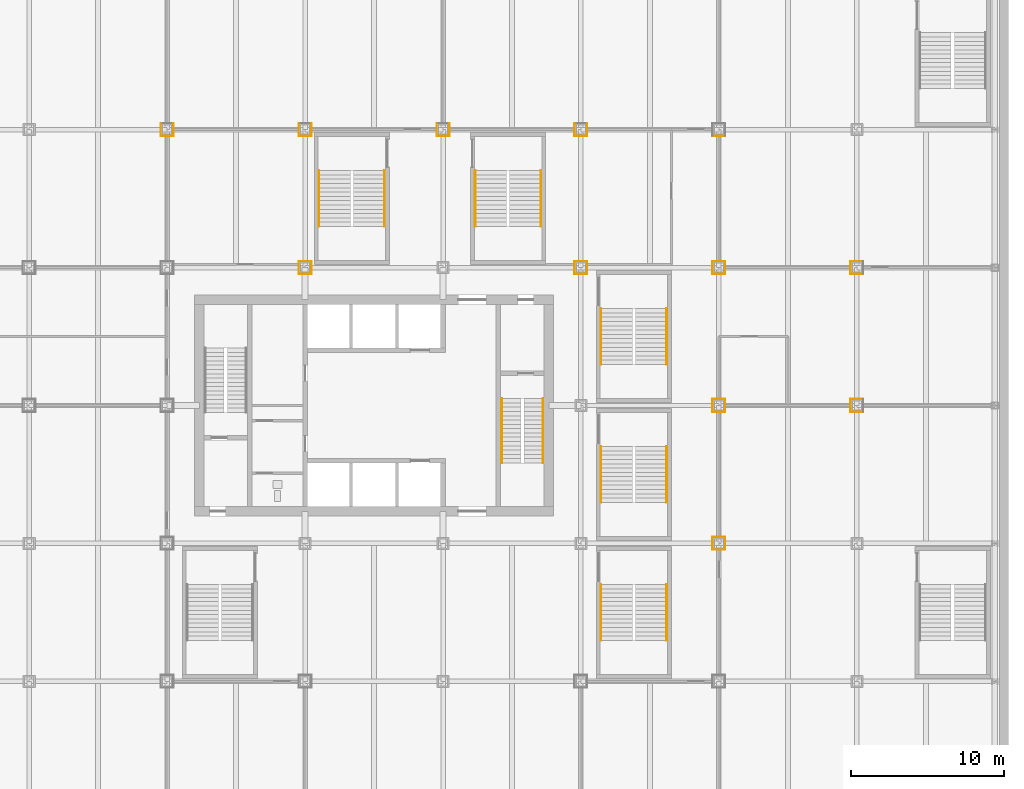
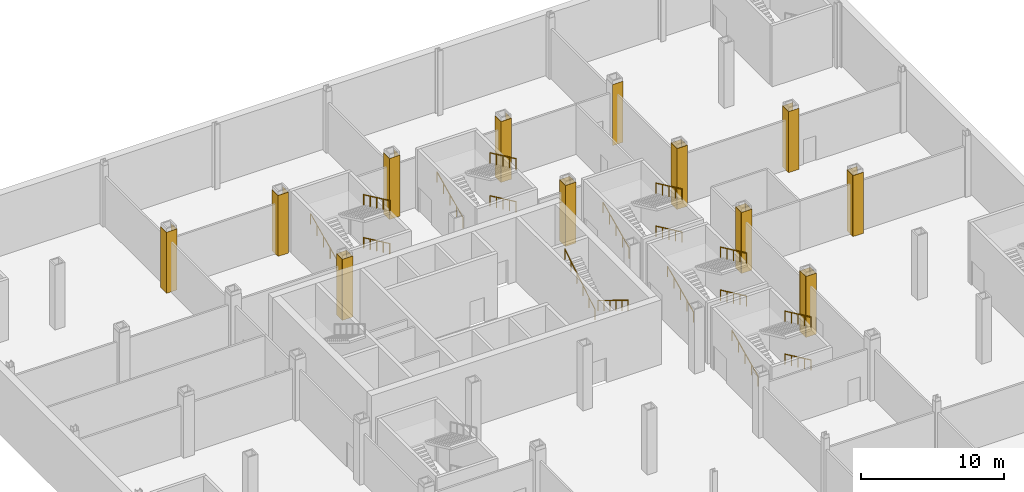
# One storey, part 20 of 27: 39 coverings, 17 railings.
"""IFC4 building model written with IfcOpenShell, lengths in metres."""

from ifc_helpers import new_model, si_unit, direction, frame, origin, origin_2d, place, context, subcontext, project, spatial, rectangle, circle, extrude, material, layer, layer_set, type_object, element, save


model = new_model("IFC4")

# Units and contexts
model_context = context("Model", 3, precision=1e-05, world=origin(), true_north=direction((0.0, 1.0)))
body_context = subcontext(model_context, "Body", "Model", "MODEL_VIEW")
ifc_project = project(units=[si_unit("LENGTHUNIT", "METRE"), si_unit("AREAUNIT", "SQUARE_METRE"), si_unit("VOLUMEUNIT", "CUBIC_METRE"), si_unit("PLANEANGLEUNIT", "RADIAN"), si_unit("MASSUNIT", "GRAM", prefix="KILO")], contexts=[model_context])

# Site, building, storey
site_placement = place(None, origin())
site = spatial("IfcSite", under=ifc_project, at=site_placement, CompositionType="ELEMENT")
building_placement = place(site_placement, origin())
building = spatial("IfcBuilding", under=site, at=building_placement, Name="Loomwork Tower", CompositionType="ELEMENT")
storey_placement = place(building_placement, frame((0.0, 0.0, -5.5)))
storey = spatial("IfcBuildingStorey", under=building, at=storey_placement, Name="B1", CompositionType="ELEMENT", Elevation=-5.5)

# Coverings
ifc_material_1 = material(Name="Two-hour fire-rated gypsum board casing")
ifc_layer = layer(ifc_material_1, 0.02490234375)
ifc_layer_set = layer_set([ifc_layer], Name="Column fire casing 25")
covering_type = type_object("IfcCoveringType", Name="Column fire casing 25", PredefinedType="CLADDING", material=ifc_layer_set)
covering_1_placement = place(storey_placement, frame((9.0, 35.58740234375, 0.0), z_axis=(0.0, 0.0, 1.0), x_axis=(1.0, 0.0, 0.0)))
element("IfcCovering", 1, at=covering_1_placement, inside=storey, type_object=covering_type, Name="Column casing 9 36 B1", PredefinedType="CLADDING", context=body_context, shape_type="SweptSolid", body=[
    extrude(rectangle(XDim=0.85009765625, YDim=0.02490234375, at=origin_2d()), origin(), (0.0, 0.0, 1.0), 5.199951171875),
])
for number, where, z_axis, x_axis, name in (
    (2, (9.41259765625, 36.0, 0.0), (0.0, 0.0, 1.0), (1.0, 0.0, 0.0), "Column casing 9 36 B1"),
    (3, (8.58740234375, 36.0, 0.0), (0.0, 0.0, 1.0), (1.0, 0.0, 0.0), "Column casing 9 36 B1"),
):
    element("IfcCovering", number, at=place(storey_placement, frame(where, z_axis=z_axis, x_axis=x_axis)), inside=storey, type_object=covering_type, Name=name, PredefinedType="CLADDING", context=body_context, shape_type="SweptSolid", body=[
        extrude(rectangle(XDim=0.02490234375, YDim=0.800048828125, at=origin_2d()), origin(), (0.0, 0.0, 1.0), 5.199951171875),
    ])
for number, where, z_axis, x_axis, name in (
    (4, (18.0, 27.41259765625, 0.0), (0.0, 0.0, 1.0), (1.0, 0.0, 0.0), "Column casing 18 27 B1"),
    (5, (18.0, 26.58740234375, 0.0), (0.0, 0.0, 1.0), (1.0, 0.0, 0.0), "Column casing 18 27 B1"),
):
    element("IfcCovering", number, at=place(storey_placement, frame(where, z_axis=z_axis, x_axis=x_axis)), inside=storey, type_object=covering_type, Name=name, PredefinedType="CLADDING", context=body_context, shape_type="SweptSolid", body=[
        extrude(rectangle(XDim=0.85009765625, YDim=0.02490234375, at=origin_2d()), origin(), (0.0, 0.0, 1.0), 5.199951171875),
    ])
for number, where, z_axis, x_axis, name in (
    (6, (18.41259765625, 27.0, 0.0), (0.0, 0.0, 1.0), (1.0, 0.0, 0.0), "Column casing 18 27 B1"),
    (7, (17.58740234375, 27.0, 0.0), (0.0, 0.0, 1.0), (1.0, 0.0, 0.0), "Column casing 18 27 B1"),
):
    element("IfcCovering", number, at=place(storey_placement, frame(where, z_axis=z_axis, x_axis=x_axis)), inside=storey, type_object=covering_type, Name=name, PredefinedType="CLADDING", context=body_context, shape_type="SweptSolid", body=[
        extrude(rectangle(XDim=0.02490234375, YDim=0.800048828125, at=origin_2d()), origin(), (0.0, 0.0, 1.0), 5.199951171875),
    ])
covering_2_placement = place(storey_placement, frame((18.0, 35.58740234375, 0.0), z_axis=(0.0, 0.0, 1.0), x_axis=(1.0, 0.0, 0.0)))
element("IfcCovering", 8, at=covering_2_placement, inside=storey, type_object=covering_type, Name="Column casing 18 36 B1", PredefinedType="CLADDING", context=body_context, shape_type="SweptSolid", body=[
    extrude(rectangle(XDim=0.85009765625, YDim=0.02490234375, at=origin_2d()), origin(), (0.0, 0.0, 1.0), 5.199951171875),
])
for number, where, z_axis, x_axis, name in (
    (9, (18.41259765625, 36.0, 0.0), (0.0, 0.0, 1.0), (1.0, 0.0, 0.0), "Column casing 18 36 B1"),
    (10, (17.58740234375, 36.0, 0.0), (0.0, 0.0, 1.0), (1.0, 0.0, 0.0), "Column casing 18 36 B1"),
):
    element("IfcCovering", number, at=place(storey_placement, frame(where, z_axis=z_axis, x_axis=x_axis)), inside=storey, type_object=covering_type, Name=name, PredefinedType="CLADDING", context=body_context, shape_type="SweptSolid", body=[
        extrude(rectangle(XDim=0.02490234375, YDim=0.800048828125, at=origin_2d()), origin(), (0.0, 0.0, 1.0), 5.199951171875),
    ])
covering_3_placement = place(storey_placement, frame((27.0, 35.58740234375, 0.0), z_axis=(0.0, 0.0, 1.0), x_axis=(1.0, 0.0, 0.0)))
element("IfcCovering", 11, at=covering_3_placement, inside=storey, type_object=covering_type, Name="Column casing 27 36 B1", PredefinedType="CLADDING", context=body_context, shape_type="SweptSolid", body=[
    extrude(rectangle(XDim=0.85009765625, YDim=0.02490234375, at=origin_2d()), origin(), (0.0, 0.0, 1.0), 5.199951171875),
])
for number, where, z_axis, x_axis, name in (
    (12, (27.41259765625, 36.0, 0.0), (0.0, 0.0, 1.0), (1.0, 0.0, 0.0), "Column casing 27 36 B1"),
    (13, (26.58740234375, 36.0, 0.0), (0.0, 0.0, 1.0), (1.0, 0.0, 0.0), "Column casing 27 36 B1"),
):
    element("IfcCovering", number, at=place(storey_placement, frame(where, z_axis=z_axis, x_axis=x_axis)), inside=storey, type_object=covering_type, Name=name, PredefinedType="CLADDING", context=body_context, shape_type="SweptSolid", body=[
        extrude(rectangle(XDim=0.02490234375, YDim=0.800048828125, at=origin_2d()), origin(), (0.0, 0.0, 1.0), 5.199951171875),
    ])
for number, where, z_axis, x_axis, name in (
    (14, (36.0, 27.41259765625, 0.0), (0.0, 0.0, 1.0), (1.0, 0.0, 0.0), "Column casing 36 27 B1"),
    (15, (36.0, 26.58740234375, 0.0), (0.0, 0.0, 1.0), (1.0, 0.0, 0.0), "Column casing 36 27 B1"),
):
    element("IfcCovering", number, at=place(storey_placement, frame(where, z_axis=z_axis, x_axis=x_axis)), inside=storey, type_object=covering_type, Name=name, PredefinedType="CLADDING", context=body_context, shape_type="SweptSolid", body=[
        extrude(rectangle(XDim=0.85009765625, YDim=0.02490234375, at=origin_2d()), origin(), (0.0, 0.0, 1.0), 5.199951171875),
    ])
for number, where, z_axis, x_axis, name in (
    (16, (36.41259765625, 27.0, 0.0), (0.0, 0.0, 1.0), (1.0, 0.0, 0.0), "Column casing 36 27 B1"),
    (17, (35.58740234375, 27.0, 0.0), (0.0, 0.0, 1.0), (1.0, 0.0, 0.0), "Column casing 36 27 B1"),
):
    element("IfcCovering", number, at=place(storey_placement, frame(where, z_axis=z_axis, x_axis=x_axis)), inside=storey, type_object=covering_type, Name=name, PredefinedType="CLADDING", context=body_context, shape_type="SweptSolid", body=[
        extrude(rectangle(XDim=0.02490234375, YDim=0.800048828125, at=origin_2d()), origin(), (0.0, 0.0, 1.0), 5.199951171875),
    ])
covering_4_placement = place(storey_placement, frame((36.0, 35.58740234375, 0.0), z_axis=(0.0, 0.0, 1.0), x_axis=(1.0, 0.0, 0.0)))
element("IfcCovering", 18, at=covering_4_placement, inside=storey, type_object=covering_type, Name="Column casing 36 36 B1", PredefinedType="CLADDING", context=body_context, shape_type="SweptSolid", body=[
    extrude(rectangle(XDim=0.85009765625, YDim=0.02490234375, at=origin_2d()), origin(), (0.0, 0.0, 1.0), 5.199951171875),
])
for number, where, z_axis, x_axis, name in (
    (19, (36.41259765625, 36.0, 0.0), (0.0, 0.0, 1.0), (1.0, 0.0, 0.0), "Column casing 36 36 B1"),
    (20, (35.58740234375, 36.0, 0.0), (0.0, 0.0, 1.0), (1.0, 0.0, 0.0), "Column casing 36 36 B1"),
):
    element("IfcCovering", number, at=place(storey_placement, frame(where, z_axis=z_axis, x_axis=x_axis)), inside=storey, type_object=covering_type, Name=name, PredefinedType="CLADDING", context=body_context, shape_type="SweptSolid", body=[
        extrude(rectangle(XDim=0.02490234375, YDim=0.800048828125, at=origin_2d()), origin(), (0.0, 0.0, 1.0), 5.199951171875),
    ])
for number, where, z_axis, x_axis, name in (
    (21, (45.0, 9.41259765625, 0.0), (0.0, 0.0, 1.0), (1.0, 0.0, 0.0), "Column casing 45 9 B1"),
    (22, (45.0, 8.58740234375, 0.0), (0.0, 0.0, 1.0), (1.0, 0.0, 0.0), "Column casing 45 9 B1"),
):
    element("IfcCovering", number, at=place(storey_placement, frame(where, z_axis=z_axis, x_axis=x_axis)), inside=storey, type_object=covering_type, Name=name, PredefinedType="CLADDING", context=body_context, shape_type="SweptSolid", body=[
        extrude(rectangle(XDim=0.85009765625, YDim=0.02490234375, at=origin_2d()), origin(), (0.0, 0.0, 1.0), 5.199951171875),
    ])
for number, where, z_axis, x_axis, name in (
    (23, (45.41259765625, 9.0, 0.0), (0.0, 0.0, 1.0), (1.0, 0.0, 0.0), "Column casing 45 9 B1"),
    (24, (44.58740234375, 9.0, 0.0), (0.0, 0.0, 1.0), (1.0, 0.0, 0.0), "Column casing 45 9 B1"),
):
    element("IfcCovering", number, at=place(storey_placement, frame(where, z_axis=z_axis, x_axis=x_axis)), inside=storey, type_object=covering_type, Name=name, PredefinedType="CLADDING", context=body_context, shape_type="SweptSolid", body=[
        extrude(rectangle(XDim=0.02490234375, YDim=0.800048828125, at=origin_2d()), origin(), (0.0, 0.0, 1.0), 5.199951171875),
    ])
for number, where, z_axis, x_axis, name in (
    (25, (45.0, 18.41259765625, 0.0), (0.0, 0.0, 1.0), (1.0, 0.0, 0.0), "Column casing 45 18 B1"),
    (26, (45.0, 17.58740234375, 0.0), (0.0, 0.0, 1.0), (1.0, 0.0, 0.0), "Column casing 45 18 B1"),
):
    element("IfcCovering", number, at=place(storey_placement, frame(where, z_axis=z_axis, x_axis=x_axis)), inside=storey, type_object=covering_type, Name=name, PredefinedType="CLADDING", context=body_context, shape_type="SweptSolid", body=[
        extrude(rectangle(XDim=0.85009765625, YDim=0.02490234375, at=origin_2d()), origin(), (0.0, 0.0, 1.0), 5.199951171875),
    ])
for number, where, z_axis, x_axis, name in (
    (27, (45.41259765625, 18.0, 0.0), (0.0, 0.0, 1.0), (1.0, 0.0, 0.0), "Column casing 45 18 B1"),
    (28, (44.58740234375, 18.0, 0.0), (0.0, 0.0, 1.0), (1.0, 0.0, 0.0), "Column casing 45 18 B1"),
):
    element("IfcCovering", number, at=place(storey_placement, frame(where, z_axis=z_axis, x_axis=x_axis)), inside=storey, type_object=covering_type, Name=name, PredefinedType="CLADDING", context=body_context, shape_type="SweptSolid", body=[
        extrude(rectangle(XDim=0.02490234375, YDim=0.800048828125, at=origin_2d()), origin(), (0.0, 0.0, 1.0), 5.199951171875),
    ])
for number, where, z_axis, x_axis, name in (
    (29, (45.0, 27.41259765625, 0.0), (0.0, 0.0, 1.0), (1.0, 0.0, 0.0), "Column casing 45 27 B1"),
    (30, (45.0, 26.58740234375, 0.0), (0.0, 0.0, 1.0), (1.0, 0.0, 0.0), "Column casing 45 27 B1"),
):
    element("IfcCovering", number, at=place(storey_placement, frame(where, z_axis=z_axis, x_axis=x_axis)), inside=storey, type_object=covering_type, Name=name, PredefinedType="CLADDING", context=body_context, shape_type="SweptSolid", body=[
        extrude(rectangle(XDim=0.85009765625, YDim=0.02490234375, at=origin_2d()), origin(), (0.0, 0.0, 1.0), 5.199951171875),
    ])
for number, where, z_axis, x_axis, name in (
    (31, (45.41259765625, 27.0, 0.0), (0.0, 0.0, 1.0), (1.0, 0.0, 0.0), "Column casing 45 27 B1"),
    (32, (44.58740234375, 27.0, 0.0), (0.0, 0.0, 1.0), (1.0, 0.0, 0.0), "Column casing 45 27 B1"),
):
    element("IfcCovering", number, at=place(storey_placement, frame(where, z_axis=z_axis, x_axis=x_axis)), inside=storey, type_object=covering_type, Name=name, PredefinedType="CLADDING", context=body_context, shape_type="SweptSolid", body=[
        extrude(rectangle(XDim=0.02490234375, YDim=0.800048828125, at=origin_2d()), origin(), (0.0, 0.0, 1.0), 5.199951171875),
    ])
for number, where, z_axis, x_axis, name in (
    (33, (45.0, 35.58740234375, 0.0), (0.0, 0.0, 1.0), (1.0, 0.0, 0.0), "Column casing 45 36 B1"),
    (34, (54.0, 18.41259765625, 0.0), (0.0, 0.0, 1.0), (1.0, 0.0, 0.0), "Column casing 54 18 B1"),
    (35, (54.0, 17.58740234375, 0.0), (0.0, 0.0, 1.0), (1.0, 0.0, 0.0), "Column casing 54 18 B1"),
):
    element("IfcCovering", number, at=place(storey_placement, frame(where, z_axis=z_axis, x_axis=x_axis)), inside=storey, type_object=covering_type, Name=name, PredefinedType="CLADDING", context=body_context, shape_type="SweptSolid", body=[
        extrude(rectangle(XDim=0.85009765625, YDim=0.02490234375, at=origin_2d()), origin(), (0.0, 0.0, 1.0), 5.199951171875),
    ])
covering_5_placement = place(storey_placement, frame((53.58740234375, 18.0, 0.0), z_axis=(0.0, 0.0, 1.0), x_axis=(1.0, 0.0, 0.0)))
element("IfcCovering", 36, at=covering_5_placement, inside=storey, type_object=covering_type, Name="Column casing 54 18 B1", PredefinedType="CLADDING", context=body_context, shape_type="SweptSolid", body=[
    extrude(rectangle(XDim=0.02490234375, YDim=0.800048828125, at=origin_2d()), origin(), (0.0, 0.0, 1.0), 5.199951171875),
])
for number, where, z_axis, x_axis, name in (
    (37, (54.0, 27.41259765625, 0.0), (0.0, 0.0, 1.0), (1.0, 0.0, 0.0), "Column casing 54 27 B1"),
    (38, (54.0, 26.58740234375, 0.0), (0.0, 0.0, 1.0), (1.0, 0.0, 0.0), "Column casing 54 27 B1"),
):
    element("IfcCovering", number, at=place(storey_placement, frame(where, z_axis=z_axis, x_axis=x_axis)), inside=storey, type_object=covering_type, Name=name, PredefinedType="CLADDING", context=body_context, shape_type="SweptSolid", body=[
        extrude(rectangle(XDim=0.85009765625, YDim=0.02490234375, at=origin_2d()), origin(), (0.0, 0.0, 1.0), 5.199951171875),
    ])
covering_6_placement = place(storey_placement, frame((53.58740234375, 27.0, 0.0), z_axis=(0.0, 0.0, 1.0), x_axis=(1.0, 0.0, 0.0)))
element("IfcCovering", 39, at=covering_6_placement, inside=storey, type_object=covering_type, Name="Column casing 54 27 B1", PredefinedType="CLADDING", context=body_context, shape_type="SweptSolid", body=[
    extrude(rectangle(XDim=0.02490234375, YDim=0.800048828125, at=origin_2d()), origin(), (0.0, 0.0, 1.0), 5.199951171875),
])

# Railings
ifc_material_2 = material(Name="Stainless steel handrail", Category="steel")
railing_type = type_object("IfcRailingType", Name="Handrail 900", PredefinedType="HANDRAIL", material=ifc_material_2)
railing_1_placement = place(storey_placement, frame((33.514892578125, 18.449951171875, 0.171875)))
element("IfcRailing", 40, at=railing_1_placement, inside=storey, type_object=railing_type, Name="Stair B handrail flight 1 B1", PredefinedType="HANDRAIL", context=body_context, shape_type="SweptSolid", body=[
    extrude(circle(Radius=0.02392578125, at=origin_2d()), frame((0.0, 0.0, 0.8759765625), z_axis=(0.0, -0.852242915053, 0.523146264196), x_axis=(1.0, 0.0, 0.0)), (0.0, 0.0, 1.0), 4.92822265625),
    extrude(circle(Radius=0.02099609375, at=origin_2d()), origin(), (0.0, 0.0, 1.0), 0.851806640625),
    extrude(circle(Radius=0.02099609375, at=origin_2d()), frame((0.0, -0.840087890625, 0.515625)), (0.0, 0.0, 1.0), 0.851806640625),
    extrude(circle(Radius=0.02099609375, at=origin_2d()), frame((0.0, -1.679931640625, 1.03125)), (0.0, 0.0, 1.0), 0.851806640625),
    extrude(circle(Radius=0.02099609375, at=origin_2d()), frame((0.0, -2.52001953125, 1.546875)), (0.0, 0.0, 1.0), 0.851806640625),
    extrude(circle(Radius=0.02099609375, at=origin_2d()), frame((0.0, -3.35986328125, 2.0625)), (0.0, 0.0, 1.0), 0.851806640625),
    extrude(circle(Radius=0.02099609375, at=origin_2d()), frame((0.0, -4.199951171875, 2.578125)), (0.0, 0.0, 1.0), 0.851806640625),
])
railing_2_placement = place(storey_placement, frame((30.8349609375, 14.25, 2.921875)))
element("IfcRailing", 41, at=railing_2_placement, inside=storey, type_object=railing_type, Name="Stair B handrail flight 2 B1", PredefinedType="HANDRAIL", context=body_context, shape_type="SweptSolid", body=[
    extrude(circle(Radius=0.02392578125, at=origin_2d()), frame((0.0, 0.0, 0.8759765625), z_axis=(0.0, 0.852242915053, 0.523146264196), x_axis=(-1.0, 0.0, 0.0)), (0.0, 0.0, 1.0), 4.92822265625),
    extrude(circle(Radius=0.02099609375, at=origin_2d()), origin(), (0.0, 0.0, 1.0), 0.851806640625),
    extrude(circle(Radius=0.02099609375, at=origin_2d()), frame((0.0, 0.840087890625, 0.515625)), (0.0, 0.0, 1.0), 0.851806640625),
    extrude(circle(Radius=0.02099609375, at=origin_2d()), frame((0.0, 1.679931640625, 1.03125)), (0.0, 0.0, 1.0), 0.851806640625),
    extrude(circle(Radius=0.02099609375, at=origin_2d()), frame((0.0, 2.52001953125, 1.546875)), (0.0, 0.0, 1.0), 0.851806640625),
    extrude(circle(Radius=0.02099609375, at=origin_2d()), frame((0.0, 3.35986328125, 2.0625)), (0.0, 0.0, 1.0), 0.851806640625),
    extrude(circle(Radius=0.02099609375, at=origin_2d()), frame((0.0, 4.199951171875, 2.578125)), (0.0, 0.0, 1.0), 0.851806640625),
])
railing_3_placement = place(storey_placement, frame((41.590087890625, 6.320068359375, 0.131103515625)))
element("IfcRailing", 42, at=railing_3_placement, inside=storey, type_object=railing_type, Name="Podium stair PS7 handrail flight 1 B1", PredefinedType="HANDRAIL", context=body_context, shape_type="SweptSolid", body=[
    extrude(circle(Radius=0.02392578125, at=origin_2d()), frame((0.0, 0.0, 0.8759765625), z_axis=(0.0, -0.905856922506, 0.423583800383), x_axis=(1.0, 0.0, 0.0)), (0.0, 0.0, 1.0), 4.0185546875),
    extrude(circle(Radius=0.02099609375, at=origin_2d()), origin(), (0.0, 0.0, 1.0), 0.851806640625),
    extrude(circle(Radius=0.02099609375, at=origin_2d()), frame((0.0, -0.91015625, 0.425537109375)), (0.0, 0.0, 1.0), 0.851806640625),
    extrude(circle(Radius=0.02099609375, at=origin_2d()), frame((0.0, -1.820068359375, 0.85107421875)), (0.0, 0.0, 1.0), 0.851806640625),
    extrude(circle(Radius=0.02099609375, at=origin_2d()), frame((0.0, -2.72998046875, 1.276611328125)), (0.0, 0.0, 1.0), 0.851806640625),
    extrude(circle(Radius=0.02099609375, at=origin_2d()), frame((0.0, -3.64013671875, 1.7021484375)), (0.0, 0.0, 1.0), 0.851806640625),
])
railing_4_placement = place(storey_placement, frame((37.31005859375, 2.679931640625, 1.96435546875)))
element("IfcRailing", 43, at=railing_4_placement, inside=storey, type_object=railing_type, Name="Podium stair PS7 handrail flight 2 B1", PredefinedType="HANDRAIL", context=body_context, shape_type="SweptSolid", body=[
    extrude(circle(Radius=0.02392578125, at=origin_2d()), frame((0.0, 0.0, 0.8759765625), z_axis=(0.0, 0.905856922506, 0.423583800383), x_axis=(-1.0, 0.0, 0.0)), (0.0, 0.0, 1.0), 4.0185546875),
    extrude(circle(Radius=0.02099609375, at=origin_2d()), origin(), (0.0, 0.0, 1.0), 0.851806640625),
    extrude(circle(Radius=0.02099609375, at=origin_2d()), frame((0.0, 0.91015625, 0.425537109375)), (0.0, 0.0, 1.0), 0.851806640625),
    extrude(circle(Radius=0.02099609375, at=origin_2d()), frame((0.0, 1.820068359375, 0.85107421875)), (0.0, 0.0, 1.0), 0.851806640625),
    extrude(circle(Radius=0.02099609375, at=origin_2d()), frame((0.0, 2.72998046875, 1.276611328125)), (0.0, 0.0, 1.0), 0.851806640625),
    extrude(circle(Radius=0.02099609375, at=origin_2d()), frame((0.0, 3.64013671875, 1.7021484375)), (0.0, 0.0, 1.0), 0.851806640625),
])
railing_5_placement = place(storey_placement, frame((41.590087890625, 6.320068359375, 3.797607421875)))
element("IfcRailing", 44, at=railing_5_placement, inside=storey, type_object=railing_type, Name="Podium stair PS7 handrail flight 3 B1", PredefinedType="HANDRAIL", context=body_context, shape_type="SweptSolid", body=[
    extrude(circle(Radius=0.02392578125, at=origin_2d()), frame((0.0, 0.0, 0.8759765625), z_axis=(0.0, -0.905833609661, 0.423633652593), x_axis=(1.0, 0.0, 0.0)), (0.0, 0.0, 1.0), 4.0185546875),
    extrude(circle(Radius=0.02099609375, at=origin_2d()), origin(), (0.0, 0.0, 1.0), 0.851806640625),
    extrude(circle(Radius=0.02099609375, at=origin_2d()), frame((0.0, -0.91015625, 0.425537109375)), (0.0, 0.0, 1.0), 0.851806640625),
    extrude(circle(Radius=0.02099609375, at=origin_2d()), frame((0.0, -1.820068359375, 0.85107421875)), (0.0, 0.0, 1.0), 0.851806640625),
    extrude(circle(Radius=0.02099609375, at=origin_2d()), frame((0.0, -2.72998046875, 1.27685546875)), (0.0, 0.0, 1.0), 0.851806640625),
    extrude(circle(Radius=0.02099609375, at=origin_2d()), frame((0.0, -3.64013671875, 1.702392578125)), (0.0, 0.0, 1.0), 0.851806640625),
])
railing_6_placement = place(storey_placement, frame((41.590087890625, 15.320068359375, 0.131103515625)))
element("IfcRailing", 45, at=railing_6_placement, inside=storey, type_object=railing_type, Name="Podium stair PS8 handrail flight 1 B1", PredefinedType="HANDRAIL", context=body_context, shape_type="SweptSolid", body=[
    extrude(circle(Radius=0.02392578125, at=origin_2d()), frame((0.0, 0.0, 0.8759765625), z_axis=(0.0, -0.905856922506, 0.423583800383), x_axis=(1.0, 0.0, 0.0)), (0.0, 0.0, 1.0), 4.0185546875),
    extrude(circle(Radius=0.02099609375, at=origin_2d()), origin(), (0.0, 0.0, 1.0), 0.851806640625),
    extrude(circle(Radius=0.02099609375, at=origin_2d()), frame((0.0, -0.91015625, 0.425537109375)), (0.0, 0.0, 1.0), 0.851806640625),
    extrude(circle(Radius=0.02099609375, at=origin_2d()), frame((0.0, -1.820068359375, 0.85107421875)), (0.0, 0.0, 1.0), 0.851806640625),
    extrude(circle(Radius=0.02099609375, at=origin_2d()), frame((0.0, -2.72998046875, 1.276611328125)), (0.0, 0.0, 1.0), 0.851806640625),
    extrude(circle(Radius=0.02099609375, at=origin_2d()), frame((0.0, -3.64013671875, 1.7021484375)), (0.0, 0.0, 1.0), 0.851806640625),
])
railing_7_placement = place(storey_placement, frame((37.31005859375, 11.679931640625, 1.96435546875)))
element("IfcRailing", 46, at=railing_7_placement, inside=storey, type_object=railing_type, Name="Podium stair PS8 handrail flight 2 B1", PredefinedType="HANDRAIL", context=body_context, shape_type="SweptSolid", body=[
    extrude(circle(Radius=0.02392578125, at=origin_2d()), frame((0.0, 0.0, 0.8759765625), z_axis=(0.0, 0.905856922506, 0.423583800383), x_axis=(-1.0, 0.0, 0.0)), (0.0, 0.0, 1.0), 4.0185546875),
    extrude(circle(Radius=0.02099609375, at=origin_2d()), origin(), (0.0, 0.0, 1.0), 0.851806640625),
    extrude(circle(Radius=0.02099609375, at=origin_2d()), frame((0.0, 0.91015625, 0.425537109375)), (0.0, 0.0, 1.0), 0.851806640625),
    extrude(circle(Radius=0.02099609375, at=origin_2d()), frame((0.0, 1.820068359375, 0.85107421875)), (0.0, 0.0, 1.0), 0.851806640625),
    extrude(circle(Radius=0.02099609375, at=origin_2d()), frame((0.0, 2.72998046875, 1.276611328125)), (0.0, 0.0, 1.0), 0.851806640625),
    extrude(circle(Radius=0.02099609375, at=origin_2d()), frame((0.0, 3.64013671875, 1.7021484375)), (0.0, 0.0, 1.0), 0.851806640625),
])
railing_8_placement = place(storey_placement, frame((41.590087890625, 15.320068359375, 3.797607421875)))
element("IfcRailing", 47, at=railing_8_placement, inside=storey, type_object=railing_type, Name="Podium stair PS8 handrail flight 3 B1", PredefinedType="HANDRAIL", context=body_context, shape_type="SweptSolid", body=[
    extrude(circle(Radius=0.02392578125, at=origin_2d()), frame((0.0, 0.0, 0.8759765625), z_axis=(0.0, -0.905833609661, 0.423633652593), x_axis=(1.0, 0.0, 0.0)), (0.0, 0.0, 1.0), 4.0185546875),
    extrude(circle(Radius=0.02099609375, at=origin_2d()), origin(), (0.0, 0.0, 1.0), 0.851806640625),
    extrude(circle(Radius=0.02099609375, at=origin_2d()), frame((0.0, -0.91015625, 0.425537109375)), (0.0, 0.0, 1.0), 0.851806640625),
    extrude(circle(Radius=0.02099609375, at=origin_2d()), frame((0.0, -1.820068359375, 0.85107421875)), (0.0, 0.0, 1.0), 0.851806640625),
    extrude(circle(Radius=0.02099609375, at=origin_2d()), frame((0.0, -2.72998046875, 1.27685546875)), (0.0, 0.0, 1.0), 0.851806640625),
    extrude(circle(Radius=0.02099609375, at=origin_2d()), frame((0.0, -3.64013671875, 1.702392578125)), (0.0, 0.0, 1.0), 0.851806640625),
])
railing_9_placement = place(storey_placement, frame((41.590087890625, 24.320068359375, 0.131103515625)))
element("IfcRailing", 48, at=railing_9_placement, inside=storey, type_object=railing_type, Name="Podium stair PS9 handrail flight 1 B1", PredefinedType="HANDRAIL", context=body_context, shape_type="SweptSolid", body=[
    extrude(circle(Radius=0.02392578125, at=origin_2d()), frame((0.0, 0.0, 0.8759765625), z_axis=(0.0, -0.905856922506, 0.423583800383), x_axis=(1.0, 0.0, 0.0)), (0.0, 0.0, 1.0), 4.0185546875),
    extrude(circle(Radius=0.02099609375, at=origin_2d()), origin(), (0.0, 0.0, 1.0), 0.851806640625),
    extrude(circle(Radius=0.02099609375, at=origin_2d()), frame((0.0, -0.91015625, 0.425537109375)), (0.0, 0.0, 1.0), 0.851806640625),
    extrude(circle(Radius=0.02099609375, at=origin_2d()), frame((0.0, -1.820068359375, 0.85107421875)), (0.0, 0.0, 1.0), 0.851806640625),
    extrude(circle(Radius=0.02099609375, at=origin_2d()), frame((0.0, -2.72998046875, 1.276611328125)), (0.0, 0.0, 1.0), 0.851806640625),
    extrude(circle(Radius=0.02099609375, at=origin_2d()), frame((0.0, -3.64013671875, 1.7021484375)), (0.0, 0.0, 1.0), 0.851806640625),
])
railing_10_placement = place(storey_placement, frame((37.31005859375, 20.679931640625, 1.96435546875)))
element("IfcRailing", 49, at=railing_10_placement, inside=storey, type_object=railing_type, Name="Podium stair PS9 handrail flight 2 B1", PredefinedType="HANDRAIL", context=body_context, shape_type="SweptSolid", body=[
    extrude(circle(Radius=0.02392578125, at=origin_2d()), frame((0.0, 0.0, 0.8759765625), z_axis=(0.0, 0.905856922506, 0.423583800383), x_axis=(-1.0, 0.0, 0.0)), (0.0, 0.0, 1.0), 4.0185546875),
    extrude(circle(Radius=0.02099609375, at=origin_2d()), origin(), (0.0, 0.0, 1.0), 0.851806640625),
    extrude(circle(Radius=0.02099609375, at=origin_2d()), frame((0.0, 0.91015625, 0.425537109375)), (0.0, 0.0, 1.0), 0.851806640625),
    extrude(circle(Radius=0.02099609375, at=origin_2d()), frame((0.0, 1.820068359375, 0.85107421875)), (0.0, 0.0, 1.0), 0.851806640625),
    extrude(circle(Radius=0.02099609375, at=origin_2d()), frame((0.0, 2.72998046875, 1.276611328125)), (0.0, 0.0, 1.0), 0.851806640625),
    extrude(circle(Radius=0.02099609375, at=origin_2d()), frame((0.0, 3.64013671875, 1.7021484375)), (0.0, 0.0, 1.0), 0.851806640625),
])
railing_11_placement = place(storey_placement, frame((41.590087890625, 24.320068359375, 3.797607421875)))
element("IfcRailing", 50, at=railing_11_placement, inside=storey, type_object=railing_type, Name="Podium stair PS9 handrail flight 3 B1", PredefinedType="HANDRAIL", context=body_context, shape_type="SweptSolid", body=[
    extrude(circle(Radius=0.02392578125, at=origin_2d()), frame((0.0, 0.0, 0.8759765625), z_axis=(0.0, -0.905833609661, 0.423633652593), x_axis=(1.0, 0.0, 0.0)), (0.0, 0.0, 1.0), 4.0185546875),
    extrude(circle(Radius=0.02099609375, at=origin_2d()), origin(), (0.0, 0.0, 1.0), 0.851806640625),
    extrude(circle(Radius=0.02099609375, at=origin_2d()), frame((0.0, -0.91015625, 0.425537109375)), (0.0, 0.0, 1.0), 0.851806640625),
    extrude(circle(Radius=0.02099609375, at=origin_2d()), frame((0.0, -1.820068359375, 0.85107421875)), (0.0, 0.0, 1.0), 0.851806640625),
    extrude(circle(Radius=0.02099609375, at=origin_2d()), frame((0.0, -2.72998046875, 1.27685546875)), (0.0, 0.0, 1.0), 0.851806640625),
    extrude(circle(Radius=0.02099609375, at=origin_2d()), frame((0.0, -3.64013671875, 1.702392578125)), (0.0, 0.0, 1.0), 0.851806640625),
])
railing_12_placement = place(storey_placement, frame((23.18994140625, 33.320068359375, 0.131103515625)))
element("IfcRailing", 51, at=railing_12_placement, inside=storey, type_object=railing_type, Name="Podium stair PS10 handrail flight 1 B1", PredefinedType="HANDRAIL", context=body_context, shape_type="SweptSolid", body=[
    extrude(circle(Radius=0.02392578125, at=origin_2d()), frame((0.0, 0.0, 0.8759765625), z_axis=(0.0, -0.905856922506, 0.423583800383), x_axis=(1.0, 0.0, 0.0)), (0.0, 0.0, 1.0), 4.0185546875),
    extrude(circle(Radius=0.02099609375, at=origin_2d()), origin(), (0.0, 0.0, 1.0), 0.851806640625),
    extrude(circle(Radius=0.02099609375, at=origin_2d()), frame((0.0, -0.91015625, 0.425537109375)), (0.0, 0.0, 1.0), 0.851806640625),
    extrude(circle(Radius=0.02099609375, at=origin_2d()), frame((0.0, -1.820068359375, 0.85107421875)), (0.0, 0.0, 1.0), 0.851806640625),
    extrude(circle(Radius=0.02099609375, at=origin_2d()), frame((0.0, -2.72998046875, 1.276611328125)), (0.0, 0.0, 1.0), 0.851806640625),
    extrude(circle(Radius=0.02099609375, at=origin_2d()), frame((0.0, -3.64013671875, 1.7021484375)), (0.0, 0.0, 1.0), 0.851806640625),
])
railing_13_placement = place(storey_placement, frame((18.909912109375, 29.679931640625, 1.96435546875)))
element("IfcRailing", 52, at=railing_13_placement, inside=storey, type_object=railing_type, Name="Podium stair PS10 handrail flight 2 B1", PredefinedType="HANDRAIL", context=body_context, shape_type="SweptSolid", body=[
    extrude(circle(Radius=0.02392578125, at=origin_2d()), frame((0.0, 0.0, 0.8759765625), z_axis=(0.0, 0.905856922506, 0.423583800383), x_axis=(-1.0, 0.0, 0.0)), (0.0, 0.0, 1.0), 4.0185546875),
    extrude(circle(Radius=0.02099609375, at=origin_2d()), origin(), (0.0, 0.0, 1.0), 0.851806640625),
    extrude(circle(Radius=0.02099609375, at=origin_2d()), frame((0.0, 0.91015625, 0.425537109375)), (0.0, 0.0, 1.0), 0.851806640625),
    extrude(circle(Radius=0.02099609375, at=origin_2d()), frame((0.0, 1.820068359375, 0.85107421875)), (0.0, 0.0, 1.0), 0.851806640625),
    extrude(circle(Radius=0.02099609375, at=origin_2d()), frame((0.0, 2.72998046875, 1.276611328125)), (0.0, 0.0, 1.0), 0.851806640625),
    extrude(circle(Radius=0.02099609375, at=origin_2d()), frame((0.0, 3.64013671875, 1.7021484375)), (0.0, 0.0, 1.0), 0.851806640625),
])
railing_14_placement = place(storey_placement, frame((23.18994140625, 33.320068359375, 3.797607421875)))
element("IfcRailing", 53, at=railing_14_placement, inside=storey, type_object=railing_type, Name="Podium stair PS10 handrail flight 3 B1", PredefinedType="HANDRAIL", context=body_context, shape_type="SweptSolid", body=[
    extrude(circle(Radius=0.02392578125, at=origin_2d()), frame((0.0, 0.0, 0.8759765625), z_axis=(0.0, -0.905833609661, 0.423633652593), x_axis=(1.0, 0.0, 0.0)), (0.0, 0.0, 1.0), 4.0185546875),
    extrude(circle(Radius=0.02099609375, at=origin_2d()), origin(), (0.0, 0.0, 1.0), 0.851806640625),
    extrude(circle(Radius=0.02099609375, at=origin_2d()), frame((0.0, -0.91015625, 0.425537109375)), (0.0, 0.0, 1.0), 0.851806640625),
    extrude(circle(Radius=0.02099609375, at=origin_2d()), frame((0.0, -1.820068359375, 0.85107421875)), (0.0, 0.0, 1.0), 0.851806640625),
    extrude(circle(Radius=0.02099609375, at=origin_2d()), frame((0.0, -2.72998046875, 1.27685546875)), (0.0, 0.0, 1.0), 0.851806640625),
    extrude(circle(Radius=0.02099609375, at=origin_2d()), frame((0.0, -3.64013671875, 1.702392578125)), (0.0, 0.0, 1.0), 0.851806640625),
])
railing_15_placement = place(storey_placement, frame((33.389892578125, 33.320068359375, 0.131103515625)))
element("IfcRailing", 54, at=railing_15_placement, inside=storey, type_object=railing_type, Name="Podium stair PS11 handrail flight 1 B1", PredefinedType="HANDRAIL", context=body_context, shape_type="SweptSolid", body=[
    extrude(circle(Radius=0.02392578125, at=origin_2d()), frame((0.0, 0.0, 0.8759765625), z_axis=(0.0, -0.905856922506, 0.423583800383), x_axis=(1.0, 0.0, 0.0)), (0.0, 0.0, 1.0), 4.0185546875),
    extrude(circle(Radius=0.02099609375, at=origin_2d()), origin(), (0.0, 0.0, 1.0), 0.851806640625),
    extrude(circle(Radius=0.02099609375, at=origin_2d()), frame((0.0, -0.91015625, 0.425537109375)), (0.0, 0.0, 1.0), 0.851806640625),
    extrude(circle(Radius=0.02099609375, at=origin_2d()), frame((0.0, -1.820068359375, 0.85107421875)), (0.0, 0.0, 1.0), 0.851806640625),
    extrude(circle(Radius=0.02099609375, at=origin_2d()), frame((0.0, -2.72998046875, 1.276611328125)), (0.0, 0.0, 1.0), 0.851806640625),
    extrude(circle(Radius=0.02099609375, at=origin_2d()), frame((0.0, -3.64013671875, 1.7021484375)), (0.0, 0.0, 1.0), 0.851806640625),
])
railing_16_placement = place(storey_placement, frame((29.110107421875, 29.679931640625, 1.96435546875)))
element("IfcRailing", 55, at=railing_16_placement, inside=storey, type_object=railing_type, Name="Podium stair PS11 handrail flight 2 B1", PredefinedType="HANDRAIL", context=body_context, shape_type="SweptSolid", body=[
    extrude(circle(Radius=0.02392578125, at=origin_2d()), frame((0.0, 0.0, 0.8759765625), z_axis=(0.0, 0.905856922506, 0.423583800383), x_axis=(-1.0, 0.0, 0.0)), (0.0, 0.0, 1.0), 4.0185546875),
    extrude(circle(Radius=0.02099609375, at=origin_2d()), origin(), (0.0, 0.0, 1.0), 0.851806640625),
    extrude(circle(Radius=0.02099609375, at=origin_2d()), frame((0.0, 0.91015625, 0.425537109375)), (0.0, 0.0, 1.0), 0.851806640625),
    extrude(circle(Radius=0.02099609375, at=origin_2d()), frame((0.0, 1.820068359375, 0.85107421875)), (0.0, 0.0, 1.0), 0.851806640625),
    extrude(circle(Radius=0.02099609375, at=origin_2d()), frame((0.0, 2.72998046875, 1.276611328125)), (0.0, 0.0, 1.0), 0.851806640625),
    extrude(circle(Radius=0.02099609375, at=origin_2d()), frame((0.0, 3.64013671875, 1.7021484375)), (0.0, 0.0, 1.0), 0.851806640625),
])
railing_17_placement = place(storey_placement, frame((33.389892578125, 33.320068359375, 3.797607421875)))
element("IfcRailing", 56, at=railing_17_placement, inside=storey, type_object=railing_type, Name="Podium stair PS11 handrail flight 3 B1", PredefinedType="HANDRAIL", context=body_context, shape_type="SweptSolid", body=[
    extrude(circle(Radius=0.02392578125, at=origin_2d()), frame((0.0, 0.0, 0.8759765625), z_axis=(0.0, -0.905833609661, 0.423633652593), x_axis=(1.0, 0.0, 0.0)), (0.0, 0.0, 1.0), 4.0185546875),
    extrude(circle(Radius=0.02099609375, at=origin_2d()), origin(), (0.0, 0.0, 1.0), 0.851806640625),
    extrude(circle(Radius=0.02099609375, at=origin_2d()), frame((0.0, -0.91015625, 0.425537109375)), (0.0, 0.0, 1.0), 0.851806640625),
    extrude(circle(Radius=0.02099609375, at=origin_2d()), frame((0.0, -1.820068359375, 0.85107421875)), (0.0, 0.0, 1.0), 0.851806640625),
    extrude(circle(Radius=0.02099609375, at=origin_2d()), frame((0.0, -2.72998046875, 1.27685546875)), (0.0, 0.0, 1.0), 0.851806640625),
    extrude(circle(Radius=0.02099609375, at=origin_2d()), frame((0.0, -3.64013671875, 1.702392578125)), (0.0, 0.0, 1.0), 0.851806640625),
])

save(model, "model.ifc")
